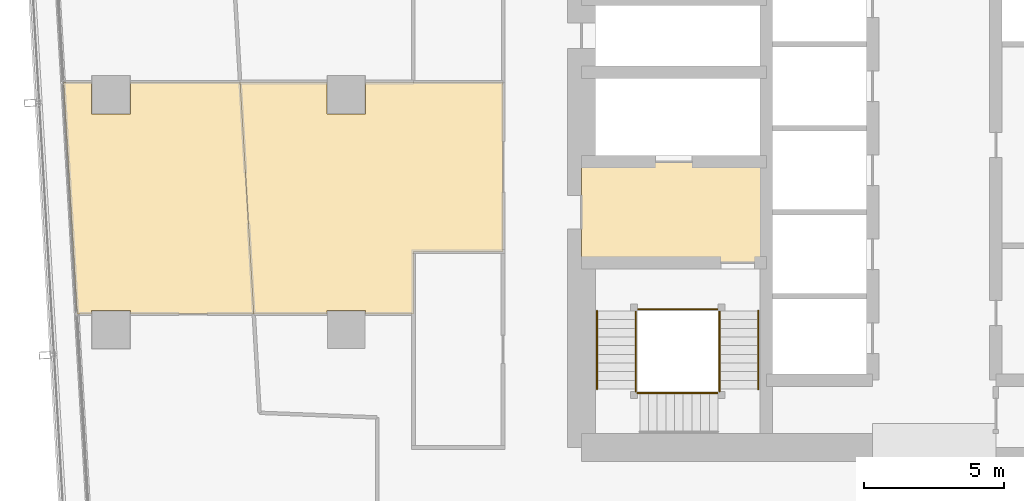
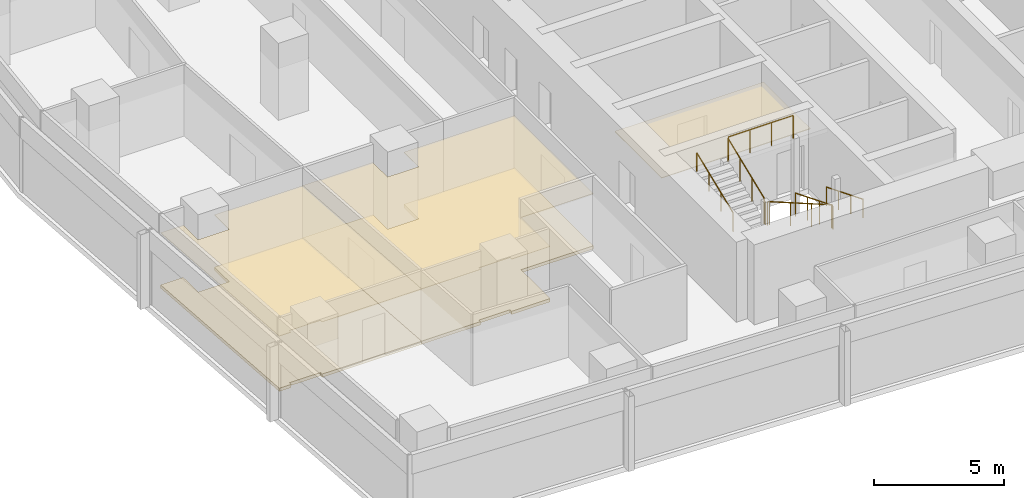
# One storey, part 32 of 39: 9 railings, 5 coverings.
"""IFC4 building model written with IfcOpenShell, lengths in metres."""

from ifc_helpers import new_model, si_unit, direction, frame, origin, origin_2d, place, context, subcontext, project, spatial, polyline, circle, outline, extrude, material, layer, layer_set, type_object, element, save


model = new_model("IFC4")

# Units and contexts
model_context = context("Model", 3, precision=1e-05, world=origin(), true_north=direction((0.0, 1.0)))
body_context = subcontext(model_context, "Body", "Model", "MODEL_VIEW")
ifc_project = project(units=[si_unit("LENGTHUNIT", "METRE"), si_unit("AREAUNIT", "SQUARE_METRE"), si_unit("VOLUMEUNIT", "CUBIC_METRE"), si_unit("PLANEANGLEUNIT", "RADIAN"), si_unit("MASSUNIT", "GRAM", prefix="KILO")], contexts=[model_context])

# Site, building, storey
site_placement = place(None, origin())
site = spatial("IfcSite", under=ifc_project, at=site_placement, CompositionType="ELEMENT")
building_placement = place(site_placement, origin())
building = spatial("IfcBuilding", under=site, at=building_placement, Name="Rekha Terrace Tower", CompositionType="ELEMENT")
storey_placement = place(building_placement, frame((0.0, 0.0, 217.699951171875)))
storey = spatial("IfcBuildingStorey", under=building, at=storey_placement, Name="L55", CompositionType="ELEMENT", Elevation=217.699951171875)

# Coverings
ifc_material_1 = material(Name="Mineral fibre tile in exposed grid", Category="finish")
ifc_layer_1 = layer(ifc_material_1, 0.02001953125)
ifc_layer_set_1 = layer_set([ifc_layer_1], Name="Mineral fibre tile in exposed grid")
covering_type_1 = type_object("IfcCoveringType", Name="CL1 600x1200 office grid ceiling", PredefinedType="CEILING", material=ifc_layer_set_1)
covering_1_placement = place(storey_placement, frame((0.0, 0.0, 2.580078125)))
element("IfcCovering", 1, at=covering_1_placement, inside=storey, type_object=covering_type_1, Name="Ceiling L55-15", PredefinedType="CEILING", context=body_context, shape_type="SweptSolid", body=[
    extrude(outline(polyline([(9.090087890625, 25.889892578125), (9.090087890625, 25.76611328125), (13.498046875, 25.76611328125), (13.010986328125, 34.0400390625), (9.090087890625, 34.0400390625), (9.090087890625, 32.909912109375), (7.7099609375, 32.909912109375), (7.7099609375, 34.0400390625), (6.699951171875, 34.0400390625), (7.18701171875, 25.76611328125), (7.7099609375, 25.76611328125), (7.7099609375, 25.889892578125), (9.090087890625, 25.889892578125)])), origin(), (0.0, 0.0, 1.0), 0.02001953125),
])
covering_2_placement = place(storey_placement, frame((0.0, 0.0, 2.580078125)))
element("IfcCovering", 2, at=covering_2_placement, inside=storey, type_object=covering_type_1, Name="Ceiling L55-16", PredefinedType="CEILING", context=body_context, shape_type="SweptSolid", body=[
    extrude(outline(polyline([(19.199951171875, 25.76611328125), (19.199951171875, 28.0), (22.39990234375, 28.0), (22.39990234375, 34.0400390625), (17.489990234375, 34.0400390625), (17.489990234375, 32.909912109375), (16.110107421875, 32.909912109375), (16.110107421875, 34.0400390625), (13.010986328125, 34.0400390625), (13.498046875, 25.76611328125), (16.110107421875, 25.76611328125), (16.110107421875, 25.889892578125), (17.489990234375, 25.889892578125), (17.489990234375, 25.76611328125), (19.199951171875, 25.76611328125)])), origin(), (0.0, 0.0, 1.0), 0.02001953125),
])
ifc_material_2 = material(Name="Powder-coated aluminium pan", Category="aluminium")
ifc_layer_2 = layer(ifc_material_2, 0.030029296875)
ifc_layer_set_2 = layer_set([ifc_layer_2], Name="Powder-coated aluminium pan")
covering_type_2 = type_object("IfcCoveringType", Name="CL3 300x1200 metal pan ceiling", PredefinedType="CEILING", material=ifc_layer_set_2)
covering_3_placement = place(storey_placement, frame((0.0, 0.0, 2.570068359375)))
element("IfcCovering", 3, at=covering_3_placement, inside=storey, type_object=covering_type_2, Name="Ceiling L55-FLB1", PredefinedType="CEILING", context=body_context, shape_type="SweptSolid", body=[
    extrude(outline(polyline([(31.800048828125, 31.199951171875), (25.199951171875, 31.199951171875), (25.199951171875, 27.60009765625), (31.800048828125, 27.60009765625), (31.800048828125, 31.199951171875)])), origin(), (0.0, 0.0, 1.0), 0.030029296875),
])

# Railings
ifc_material_3 = material(Name="Stainless steel balustrade", Category="steel")
railing_type_1 = type_object("IfcRailingType", Name="GR1 1100 stair guard", PredefinedType="GUARDRAIL", material=ifc_material_3)
railing_1_placement = place(storey_placement, frame((30.135009765625, 25.875, 0.125)))
element("IfcRailing", 4, at=railing_1_placement, inside=storey, type_object=railing_type_1, Name="Guard ST1 L55 flight 1", PredefinedType="GUARDRAIL", context=body_context, shape_type="SweptSolid", body=[
    extrude(circle(Radius=0.02392578125, at=origin_2d()), frame((0.0, 0.0, 1.076171875), z_axis=(0.0, -0.927443287984, 0.373963831907), x_axis=(1.0, 0.0, 0.0)), (0.0, 0.0, 1.0), 3.00830078125),
    extrude(circle(Radius=0.02099609375, at=origin_2d()), origin(), (0.0, 0.0, 1.0), 1.052001953125),
    extrude(circle(Radius=0.02099609375, at=origin_2d()), frame((0.0, -0.929931640625, 0.375)), (0.0, 0.0, 1.0), 1.052001953125),
    extrude(circle(Radius=0.02099609375, at=origin_2d()), frame((0.0, -1.860107421875, 0.75)), (0.0, 0.0, 1.0), 1.052001953125),
    extrude(circle(Radius=0.02099609375, at=origin_2d()), frame((0.0, -2.7900390625, 1.125)), (0.0, 0.0, 1.0), 1.052001953125),
])
railing_2_placement = place(storey_placement, frame((30.074951171875, 22.93994140625, 1.375)))
element("IfcRailing", 5, at=railing_2_placement, inside=storey, type_object=railing_type_1, Name="Guard ST1 L55 flight 2", PredefinedType="GUARDRAIL", context=body_context, shape_type="SweptSolid", body=[
    extrude(circle(Radius=0.02392578125, at=origin_2d()), frame((0.0, 0.0, 1.076171875), z_axis=(-0.927443287984, 0.0, 0.373963831907), x_axis=(0.0, -1.0, 0.0)), (0.0, 0.0, 1.0), 3.00830078125),
    extrude(circle(Radius=0.02099609375, at=origin_2d()), origin(), (0.0, 0.0, 1.0), 1.052001953125),
    extrude(circle(Radius=0.02099609375, at=origin_2d()), frame((-0.929931640625, 0.0, 0.375)), (0.0, 0.0, 1.0), 1.052001953125),
    extrude(circle(Radius=0.02099609375, at=origin_2d()), frame((-1.860107421875, 0.0, 0.75)), (0.0, 0.0, 1.0), 1.052001953125),
    extrude(circle(Radius=0.02099609375, at=origin_2d()), frame((-2.7900390625, 0.0, 1.125)), (0.0, 0.0, 1.0), 1.052001953125),
])
railing_3_placement = place(storey_placement, frame((27.139892578125, 23.0849609375, 2.625)))
element("IfcRailing", 6, at=railing_3_placement, inside=storey, type_object=railing_type_1, Name="Guard ST1 L55 flight 3", PredefinedType="GUARDRAIL", context=body_context, shape_type="SweptSolid", body=[
    extrude(circle(Radius=0.02392578125, at=origin_2d()), frame((0.0, 0.0, 1.076171875), z_axis=(0.0, 0.927443287984, 0.373963831907), x_axis=(-1.0, 0.0, 0.0)), (0.0, 0.0, 1.0), 3.00830078125),
    extrude(circle(Radius=0.02099609375, at=origin_2d()), origin(), (0.0, 0.0, 1.0), 1.052001953125),
    extrude(circle(Radius=0.02099609375, at=origin_2d()), frame((0.0, 0.929931640625, 0.375)), (0.0, 0.0, 1.0), 1.052001953125),
    extrude(circle(Radius=0.02099609375, at=origin_2d()), frame((0.0, 1.860107421875, 0.75)), (0.0, 0.0, 1.0), 1.052001953125),
    extrude(circle(Radius=0.02099609375, at=origin_2d()), frame((0.0, 2.7900390625, 1.125)), (0.0, 0.0, 1.0), 1.052001953125),
])
railing_4_placement = place(storey_placement, frame((30.135009765625, 23.0849609375, 1.25)))
element("IfcRailing", 7, at=railing_4_placement, inside=storey, type_object=railing_type_1, Name="Guard ST1 L55 landing 1", PredefinedType="GUARDRAIL", context=body_context, shape_type="SweptSolid", body=[
    extrude(circle(Radius=0.02392578125, at=origin_2d()), frame((0.0, 0.0, 1.076171875), z_axis=(0.0, -1.0, 0.0), x_axis=(1.0, 0.0, 0.0)), (0.0, 0.0, 1.0), 0.0849609375),
    extrude(circle(Radius=0.02099609375, at=origin_2d()), origin(), (0.0, 0.0, 1.0), 1.052001953125),
    extrude(circle(Radius=0.02099609375, at=origin_2d()), frame((0.0, -0.0849609375, 0.0)), (0.0, 0.0, 1.0), 1.052001953125),
])
railing_5_placement = place(storey_placement, frame((27.284912109375, 22.93994140625, 2.5)))
element("IfcRailing", 8, at=railing_5_placement, inside=storey, type_object=railing_type_1, Name="Guard ST1 L55 landing 2", PredefinedType="GUARDRAIL", context=body_context, shape_type="SweptSolid", body=[
    extrude(circle(Radius=0.02392578125, at=origin_2d()), frame((0.0, 0.0, 1.076171875), z_axis=(-1.0, 0.0, 0.0), x_axis=(0.0, -1.0, 0.0)), (0.0, 0.0, 1.0), 0.0849609375),
    extrude(circle(Radius=0.02099609375, at=origin_2d()), origin(), (0.0, 0.0, 1.0), 1.052001953125),
    extrude(circle(Radius=0.02099609375, at=origin_2d()), frame((-0.0849609375, 0.0, 0.0)), (0.0, 0.0, 1.0), 1.052001953125),
])
railing_6_placement = place(storey_placement, frame((27.139892578125, 23.0849609375, 2.5)))
element("IfcRailing", 9, at=railing_6_placement, inside=storey, type_object=railing_type_1, Name="Guard ST1 L55 landing 3", PredefinedType="GUARDRAIL", context=body_context, shape_type="SweptSolid", body=[
    extrude(circle(Radius=0.02392578125, at=origin_2d()), frame((0.0, 0.0, 1.076171875), z_axis=(0.0, -1.0, 0.0), x_axis=(1.0, 0.0, 0.0)), (0.0, 0.0, 1.0), 0.0849609375),
    extrude(circle(Radius=0.02099609375, at=origin_2d()), origin(), (0.0, 0.0, 1.0), 1.052001953125),
    extrude(circle(Radius=0.02099609375, at=origin_2d()), frame((0.0, -0.0849609375, 0.0)), (0.0, 0.0, 1.0), 1.052001953125),
])
railing_7_placement = place(storey_placement, frame((30.074951171875, 25.93505859375, 3.75)))
element("IfcRailing", 10, at=railing_7_placement, inside=storey, type_object=railing_type_1, Name="Guard ST1 L55 landing 4", PredefinedType="GUARDRAIL", context=body_context, shape_type="SweptSolid", body=[
    extrude(circle(Radius=0.02392578125, at=origin_2d()), frame((0.0, 0.0, 1.076171875), z_axis=(-1.0, 0.0, 0.0), x_axis=(0.0, -1.0, 0.0)), (0.0, 0.0, 1.0), 2.875),
    extrude(circle(Radius=0.02099609375, at=origin_2d()), origin(), (0.0, 0.0, 1.0), 1.052001953125),
    extrude(circle(Radius=0.02099609375, at=origin_2d()), frame((-0.958251953125, 0.0, 0.0)), (0.0, 0.0, 1.0), 1.052001953125),
    extrude(circle(Radius=0.02099609375, at=origin_2d()), frame((-1.916748046875, 0.0, 0.0)), (0.0, 0.0, 1.0), 1.052001953125),
    extrude(circle(Radius=0.02099609375, at=origin_2d()), frame((-2.875, 0.0, 0.0)), (0.0, 0.0, 1.0), 1.052001953125),
])
ifc_material_4 = material(Name="Stainless steel tube", Category="steel")
railing_type_2 = type_object("IfcRailingType", Name="HR1 900 stair handrail", PredefinedType="HANDRAIL", material=ifc_material_4)
railing_8_placement = place(storey_placement, frame((31.514892578125, 25.875, 0.125)))
element("IfcRailing", 11, at=railing_8_placement, inside=storey, type_object=railing_type_2, Name="Handrail ST1 L55 flight 1", PredefinedType="HANDRAIL", context=body_context, shape_type="SweptSolid", body=[
    extrude(circle(Radius=0.02392578125, at=origin_2d()), frame((0.0, 0.0, 0.8759765625), z_axis=(0.0, -0.927443287984, 0.373963831907), x_axis=(1.0, 0.0, 0.0)), (0.0, 0.0, 1.0), 3.00830078125),
    extrude(circle(Radius=0.02099609375, at=origin_2d()), origin(), (0.0, 0.0, 1.0), 0.851806640625),
    extrude(circle(Radius=0.02099609375, at=origin_2d()), frame((0.0, -0.929931640625, 0.375)), (0.0, 0.0, 1.0), 0.851806640625),
    extrude(circle(Radius=0.02099609375, at=origin_2d()), frame((0.0, -1.860107421875, 0.75)), (0.0, 0.0, 1.0), 0.851806640625),
    extrude(circle(Radius=0.02099609375, at=origin_2d()), frame((0.0, -2.7900390625, 1.125)), (0.0, 0.0, 1.0), 0.851806640625),
])
railing_9_placement = place(storey_placement, frame((25.760009765625, 23.0849609375, 2.625)))
element("IfcRailing", 12, at=railing_9_placement, inside=storey, type_object=railing_type_2, Name="Handrail ST1 L55 flight 3", PredefinedType="HANDRAIL", context=body_context, shape_type="SweptSolid", body=[
    extrude(circle(Radius=0.02392578125, at=origin_2d()), frame((0.0, 0.0, 0.8759765625), z_axis=(0.0, 0.927443287984, 0.373963831907), x_axis=(-1.0, 0.0, 0.0)), (0.0, 0.0, 1.0), 3.00830078125),
    extrude(circle(Radius=0.02099609375, at=origin_2d()), origin(), (0.0, 0.0, 1.0), 0.851806640625),
    extrude(circle(Radius=0.02099609375, at=origin_2d()), frame((0.0, 0.929931640625, 0.375)), (0.0, 0.0, 1.0), 0.851806640625),
    extrude(circle(Radius=0.02099609375, at=origin_2d()), frame((0.0, 1.860107421875, 0.75)), (0.0, 0.0, 1.0), 0.851806640625),
    extrude(circle(Radius=0.02099609375, at=origin_2d()), frame((0.0, 2.7900390625, 1.125)), (0.0, 0.0, 1.0), 0.851806640625),
])

# Coverings
ifc_material_5 = material(Name="Calcium sulphate panels on steel pedestals", Category="steel")
ifc_layer_3 = layer(ifc_material_5, 0.14990234375)
ifc_layer_set_3 = layer_set([ifc_layer_3], Name="Calcium sulphate panels on steel pedestals")
covering_type_3 = type_object("IfcCoveringType", Name="RF1 150 raised access floor", PredefinedType="FLOORING", material=ifc_layer_set_3)
covering_4_placement = place(storey_placement, origin())
element("IfcCovering", 13, at=covering_4_placement, inside=storey, type_object=covering_type_3, Name="Raised floor L55-15", PredefinedType="FLOORING", context=body_context, shape_type="SweptSolid", body=[
    extrude(outline(polyline([(9.090087890625, 25.889892578125), (9.090087890625, 25.76611328125), (13.498046875, 25.76611328125), (13.010986328125, 34.0400390625), (9.090087890625, 34.0400390625), (9.090087890625, 32.909912109375), (7.7099609375, 32.909912109375), (7.7099609375, 34.0400390625), (6.699951171875, 34.0400390625), (7.18701171875, 25.76611328125), (7.7099609375, 25.76611328125), (7.7099609375, 25.889892578125), (9.090087890625, 25.889892578125)])), origin(), (0.0, 0.0, 1.0), 0.150146484375),
])
covering_5_placement = place(storey_placement, origin())
element("IfcCovering", 14, at=covering_5_placement, inside=storey, type_object=covering_type_3, Name="Raised floor L55-16", PredefinedType="FLOORING", context=body_context, shape_type="SweptSolid", body=[
    extrude(outline(polyline([(19.199951171875, 25.76611328125), (19.199951171875, 28.0), (22.39990234375, 28.0), (22.39990234375, 34.0400390625), (17.489990234375, 34.0400390625), (17.489990234375, 32.909912109375), (16.110107421875, 32.909912109375), (16.110107421875, 34.0400390625), (13.010986328125, 34.0400390625), (13.498046875, 25.76611328125), (16.110107421875, 25.76611328125), (16.110107421875, 25.889892578125), (17.489990234375, 25.889892578125), (17.489990234375, 25.76611328125), (19.199951171875, 25.76611328125)])), origin(), (0.0, 0.0, 1.0), 0.150146484375),
])

save(model, "model.ifc")
